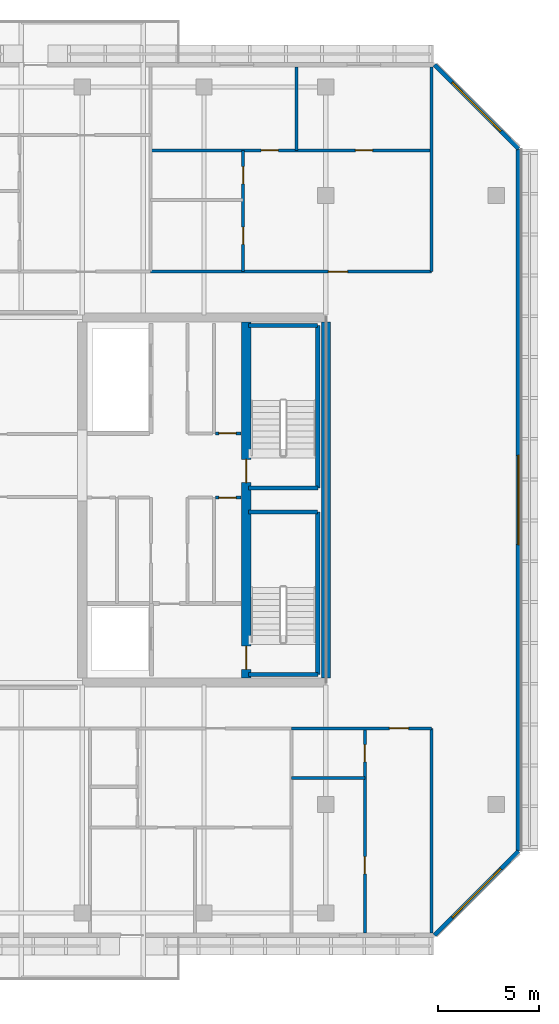
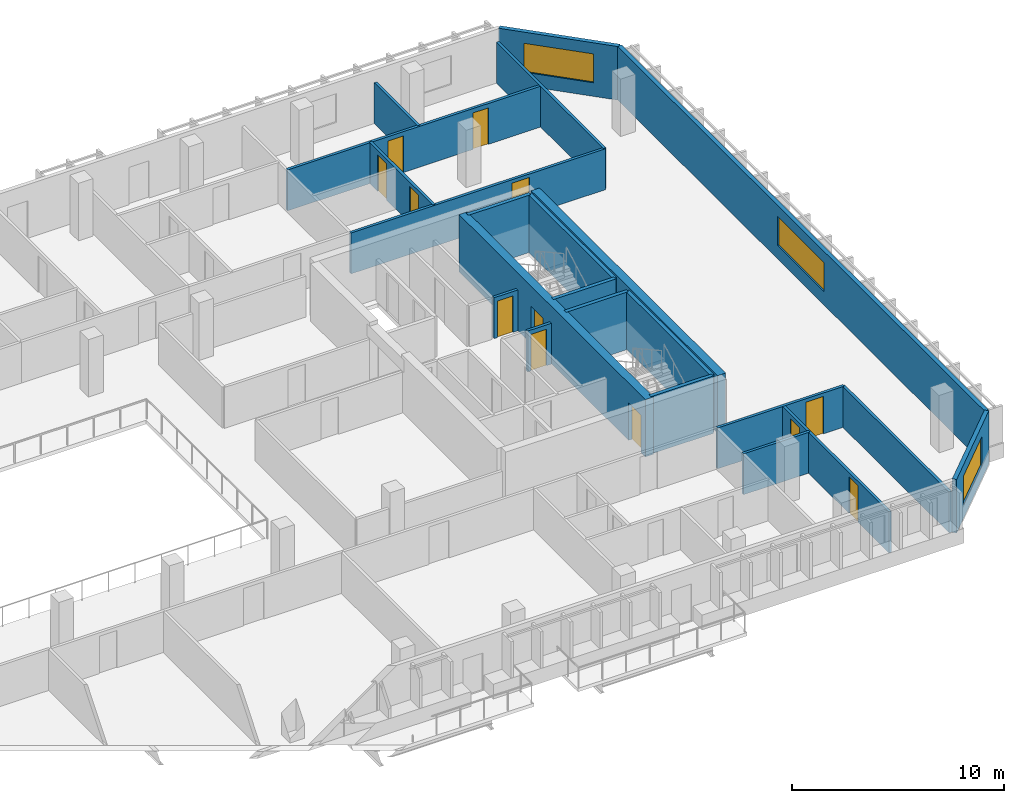
# One storey, part 10 of 16: 22 walls, 12 doors, 3 windows, 15 openings.
"""IFC4 building model written with IfcOpenShell, lengths in metres."""

from ifc_helpers import new_model, si_unit, direction, frame, frame_2d, origin, place, context, subcontext, project, spatial, rectangle, extrude, material, layer, layer_set, type_object, element, fill, save


model = new_model("IFC4")

# Units and contexts
model_context = context("Model", 3, precision=1e-05, world=origin(), true_north=direction((0.0, 1.0)))
body_context = subcontext(model_context, "Body", "Model", "MODEL_VIEW")
ifc_project = project(units=[si_unit("LENGTHUNIT", "METRE"), si_unit("AREAUNIT", "SQUARE_METRE"), si_unit("VOLUMEUNIT", "CUBIC_METRE"), si_unit("PLANEANGLEUNIT", "RADIAN"), si_unit("MASSUNIT", "GRAM", prefix="KILO")], contexts=[model_context])

# Site, building, storey
site_placement = place(None, origin())
site = spatial("IfcSite", under=ifc_project, at=site_placement, CompositionType="ELEMENT")
building_placement = place(site_placement, origin())
building = spatial("IfcBuilding", under=site, at=building_placement, Name="Tanjung Sevakor Pilgrim Tower", CompositionType="ELEMENT")
storey_placement = place(building_placement, frame((0.0, 0.0, 191.72998046875)))
storey = spatial("IfcBuildingStorey", under=building, at=storey_placement, Name="L53", CompositionType="ELEMENT", Elevation=191.72998046875)

# Wall
ifc_material_1 = material(Name="Concrete C60/75", Category="concrete")
ifc_layer_1 = layer(ifc_material_1, 0.449951171875)
ifc_layer_set_1 = layer_set([ifc_layer_1], Name="WALL-CW-450")
wall_type_1 = type_object("IfcWallType", Name="WALL-CW-450", PredefinedType="SHEAR", material=ifc_layer_set_1)
wall_1_placement = place(storey_placement, frame((90.0, 24.824951171875, 0.0), z_axis=(0.0, 0.0, 1.0), x_axis=(0.0, 1.0, 0.0)))
element("IfcWall", 1, at=wall_1_placement, inside=storey, type_object=wall_type_1, Name="L53 E Core Outer Shear Wall", PredefinedType="SHEAR", context=body_context, shape_type="SweptSolid", body=[
    extrude(rectangle(XDim=17.550048828125, YDim=0.449951171875, at=frame_2d((8.77490234375, 0.0))), origin(), (0.0, 0.0, 1.0), 3.300048828125),
])

# Wall, openings, doors
wall_2_placement = place(storey_placement, frame((86.074951171875, 24.824951171875, 0.0), z_axis=(0.0, 0.0, 1.0), x_axis=(0.0, 1.0, 0.0)))
wall_2 = element("IfcWall", 2, at=wall_2_placement, inside=storey, type_object=wall_type_1, Name="L53 E Core Stair Spine Wall", PredefinedType="SHEAR", context=body_context, shape_type="SweptSolid", body=[
    extrude(rectangle(XDim=17.550048828125, YDim=0.449951171875, at=frame_2d((8.77490234375, 0.0))), origin(), (0.0, 0.0, 1.0), 3.300048828125),
])
opening_1_placement = place(wall_2_placement, frame((0.425048828125, 0.0, 0.0)))
opening_1 = element("IfcOpeningElement", 3, at=opening_1_placement, cuts=wall_2, Name="Opening ID-ST1", PredefinedType="OPENING", context=body_context, shape_type="SweptSolid", body=[
    extrude(rectangle(XDim=1.14990234375, YDim=2.14990234375, at=frame_2d((0.574951171875, 1.074951171875))), frame((0.0, 0.23486328125, 0.0), z_axis=(0.0, -1.0, 0.0), x_axis=(1.0, 0.0, 0.0)), (0.0, 0.0, 1.0), 0.469970703125),
])
opening_2_placement = place(wall_2_placement, frame((9.625, 0.0, 0.0)))
opening_2 = element("IfcOpeningElement", 4, at=opening_2_placement, cuts=wall_2, Name="Opening ID-ST1", PredefinedType="OPENING", context=body_context, shape_type="SweptSolid", body=[
    extrude(rectangle(XDim=1.14990234375, YDim=2.14990234375, at=frame_2d((0.574951171875, 1.074951171875))), frame((0.0, 0.23486328125, 0.0), z_axis=(0.0, -1.0, 0.0), x_axis=(1.0, 0.0, 0.0)), (0.0, 0.0, 1.0), 0.469970703125),
])
ifc_material_2 = material(Name="Fire-Rated Steel S355J2", Category="steel")
door_type_1 = type_object("IfcDoorType", Name="DT-FIRE-1150", OperationType="NOTDEFINED", PredefinedType="DOOR", material=ifc_material_2)
door_1_placement = place(opening_1_placement, origin())
door_1 = element("IfcDoor", 5, at=door_1_placement, inside=storey, type_object=door_type_1, Name="L53 TS-E1 Stair Fire Door", OperationType="SINGLE_SWING_RIGHT", OverallHeight=2.14990234375, OverallWidth=1.14990234375, PredefinedType="DOOR", context=body_context, shape_type="SweptSolid", body=[
    extrude(rectangle(XDim=1.14990234375, YDim=2.14990234375, at=frame_2d((0.574951171875, 1.074951171875))), frame((0.0, 0.02490234375, 0.0), z_axis=(0.0, -1.0, 0.0), x_axis=(1.0, 0.0, 0.0)), (0.0, 0.0, 1.0), 0.050048828125),
])
fill(opening_1, door_1)
door_2_placement = place(opening_2_placement, origin())
door_2 = element("IfcDoor", 6, at=door_2_placement, inside=storey, type_object=door_type_1, Name="L53 TS-E2 Stair Fire Door", OperationType="SINGLE_SWING_LEFT", OverallHeight=2.14990234375, OverallWidth=1.14990234375, PredefinedType="DOOR", context=body_context, shape_type="SweptSolid", body=[
    extrude(rectangle(XDim=1.14990234375, YDim=2.14990234375, at=frame_2d((0.574951171875, 1.074951171875))), frame((0.0, 0.02490234375, 0.0), z_axis=(0.0, -1.0, 0.0), x_axis=(1.0, 0.0, 0.0)), (0.0, 0.0, 1.0), 0.050048828125),
])
fill(opening_2, door_2)

# Wall, opening, door
ifc_material_3 = material(Name="Concrete C40/50", Category="concrete")
ifc_layer_2 = layer(ifc_material_3, 0.14990234375)
ifc_layer_set_2 = layer_set([ifc_layer_2], Name="WT-COMP-150")
wall_type_2 = type_object("IfcWallType", Name="WT-COMP-150", PredefinedType="SOLIDWALL", material=ifc_layer_set_2)
wall_3_placement = place(storey_placement, frame((84.550048828125, 33.719970703125, 0.0), z_axis=(0.0, 0.0, 1.0), x_axis=(1.0, 0.0, 0.0)))
wall_3 = element("IfcWall", 7, at=wall_3_placement, inside=storey, type_object=wall_type_2, Name="L53 Partition IW-L53-020", PredefinedType="SOLIDWALL", context=body_context, shape_type="SweptSolid", body=[
    extrude(rectangle(XDim=1.280029296875, YDim=0.14990234375, at=frame_2d((0.64013671875, 0.0))), origin(), (0.0, 0.0, 1.0), 2.35009765625),
])
opening_3_placement = place(wall_3_placement, frame((0.179931640625, 0.0, 0.0)))
opening_3 = element("IfcOpeningElement", 8, at=opening_3_placement, cuts=wall_3, Name="Opening ID-FD3", PredefinedType="OPENING", context=body_context, shape_type="SweptSolid", body=[
    extrude(rectangle(XDim=0.85009765625, YDim=2.10009765625, at=frame_2d((0.425048828125, 1.050048828125))), frame((0.0, 0.0849609375, 0.0), z_axis=(0.0, -1.0, 0.0), x_axis=(1.0, 0.0, 0.0)), (0.0, 0.0, 1.0), 0.169921875),
])
ifc_material_4 = material(Name="Fire-Rated Timber", Category="wood")
door_type_2 = type_object("IfcDoorType", Name="DT-FIRE-850", OperationType="NOTDEFINED", PredefinedType="DOOR", material=ifc_material_4)
door_3_placement = place(opening_3_placement, origin())
door_3 = element("IfcDoor", 9, at=door_3_placement, inside=storey, type_object=door_type_2, Name="L53 Cleaner Store Door", OperationType="SINGLE_SWING_RIGHT", OverallHeight=2.10009765625, OverallWidth=0.85009765625, PredefinedType="DOOR", context=body_context, shape_type="SweptSolid", body=[
    extrude(rectangle(XDim=0.85009765625, YDim=2.10009765625, at=frame_2d((0.425048828125, 1.050048828125))), frame((0.0, 0.02490234375, 0.0), z_axis=(0.0, -1.0, 0.0), x_axis=(1.0, 0.0, 0.0)), (0.0, 0.0, 1.0), 0.050048828125),
])
fill(opening_3, door_3)

wall_4_placement = place(storey_placement, frame((84.550048828125, 36.8798828125, 0.0), z_axis=(0.0, 0.0, 1.0), x_axis=(1.0, 0.0, 0.0)))
wall_4 = element("IfcWall", 10, at=wall_4_placement, inside=storey, type_object=wall_type_2, Name="L53 Partition IW-L53-028", PredefinedType="SOLIDWALL", context=body_context, shape_type="SweptSolid", body=[
    extrude(rectangle(XDim=1.280029296875, YDim=0.14990234375, at=frame_2d((0.64013671875, 0.0))), origin(), (0.0, 0.0, 1.0), 2.35009765625),
])
opening_4_placement = place(wall_4_placement, frame((0.179931640625, 0.0, 0.0)))
opening_4 = element("IfcOpeningElement", 11, at=opening_4_placement, cuts=wall_4, Name="Opening ID-FD3", PredefinedType="OPENING", context=body_context, shape_type="SweptSolid", body=[
    extrude(rectangle(XDim=0.85009765625, YDim=2.10009765625, at=frame_2d((0.425048828125, 1.050048828125))), frame((0.0, 0.0849609375, 0.0), z_axis=(0.0, -1.0, 0.0), x_axis=(1.0, 0.0, 0.0)), (0.0, 0.0, 1.0), 0.169921875),
])
door_4_placement = place(opening_4_placement, origin())
door_4 = element("IfcDoor", 12, at=door_4_placement, inside=storey, type_object=door_type_2, Name="L53 Service Store Door", OperationType="SINGLE_SWING_RIGHT", OverallHeight=2.10009765625, OverallWidth=0.85009765625, PredefinedType="DOOR", context=body_context, shape_type="SweptSolid", body=[
    extrude(rectangle(XDim=0.85009765625, YDim=2.10009765625, at=frame_2d((0.425048828125, 1.050048828125))), frame((0.0, 0.02490234375, 0.0), z_axis=(0.0, -1.0, 0.0), x_axis=(1.0, 0.0, 0.0)), (0.0, 0.0, 1.0), 0.050048828125),
])
fill(opening_4, door_4)

# Wall
wall_5_placement = place(storey_placement, frame((95.199951171875, 12.27001953125, 0.0), z_axis=(0.0, 0.0, 1.0), x_axis=(0.0, 1.0, 0.0)))
element("IfcWall", 13, at=wall_5_placement, inside=storey, type_object=wall_type_2, Name="L53 Partition IW-L53-055", PredefinedType="SOLIDWALL", context=body_context, shape_type="SweptSolid", body=[
    extrude(rectangle(XDim=10.080078125, YDim=0.14990234375, at=frame_2d((5.0400390625, 0.0))), origin(), (0.0, 0.0, 1.0), 2.35009765625),
])

# Wall, opening, door
wall_6_placement = place(storey_placement, frame((88.3173828125, 22.35009765625, 0.0), z_axis=(0.0, 0.0, 1.0), x_axis=(1.0, 0.0, 0.0)))
wall_6 = element("IfcWall", 14, at=wall_6_placement, inside=storey, type_object=wall_type_2, Name="L53 Partition IW-L53-070", PredefinedType="SOLIDWALL", context=body_context, shape_type="SweptSolid", body=[
    extrude(rectangle(XDim=6.882568359375, YDim=0.14990234375, at=frame_2d((3.44140625, 0.0))), origin(), (0.0, 0.0, 1.0), 2.35009765625),
])
opening_5_placement = place(wall_6_placement, frame((4.8076171875, 0.0, 0.0)))
opening_5 = element("IfcOpeningElement", 15, at=opening_5_placement, cuts=wall_6, Name="Opening ID-FD2", PredefinedType="OPENING", context=body_context, shape_type="SweptSolid", body=[
    extrude(rectangle(XDim=0.949951171875, YDim=2.14990234375, at=frame_2d((0.47509765625, 1.074951171875))), frame((0.0, 0.0849609375, 0.0), z_axis=(0.0, -1.0, 0.0), x_axis=(1.0, 0.0, 0.0)), (0.0, 0.0, 1.0), 0.169921875),
])
ifc_material_5 = material(Name="Fire-Rated Timber", Category="wood")
door_type_3 = type_object("IfcDoorType", Name="DT-FIRE-950", OperationType="NOTDEFINED", PredefinedType="DOOR", material=ifc_material_5)
door_5_placement = place(opening_5_placement, origin())
door_5 = element("IfcDoor", 16, at=door_5_placement, inside=storey, type_object=door_type_3, Name="Hostel Quad Entrance", OperationType="SINGLE_SWING_RIGHT", OverallHeight=2.14990234375, OverallWidth=0.949951171875, PredefinedType="DOOR", context=body_context, shape_type="SweptSolid", body=[
    extrude(rectangle(XDim=0.949951171875, YDim=2.14990234375, at=frame_2d((0.47509765625, 1.074951171875))), frame((0.0, 0.02490234375, 0.0), z_axis=(0.0, -1.0, 0.0), x_axis=(1.0, 0.0, 0.0)), (0.0, 0.0, 1.0), 0.050048828125),
])
fill(opening_5, door_5)

# Wall
wall_7_placement = place(storey_placement, frame((95.199951171875, 44.85009765625, 0.0), z_axis=(0.0, 0.0, 1.0), x_axis=(0.0, 1.0, 0.0)))
element("IfcWall", 17, at=wall_7_placement, inside=storey, type_object=wall_type_2, Name="L53 Partition IW-L53-081", PredefinedType="SOLIDWALL", context=body_context, shape_type="SweptSolid", body=[
    extrude(rectangle(XDim=10.079833984375, YDim=0.14990234375, at=frame_2d((5.0400390625, 0.0))), origin(), (0.0, 0.0, 1.0), 2.35009765625),
])

# Wall, opening, door
wall_8_placement = place(storey_placement, frame((81.364013671875, 44.85009765625, 0.0), z_axis=(0.0, 0.0, 1.0), x_axis=(1.0, 0.0, 0.0)))
wall_8 = element("IfcWall", 18, at=wall_8_placement, inside=storey, type_object=wall_type_2, Name="L53 Partition IW-L53-097", PredefinedType="SOLIDWALL", context=body_context, shape_type="SweptSolid", body=[
    extrude(rectangle(XDim=13.8359375, YDim=0.14990234375, at=frame_2d((6.91796875, 0.0))), origin(), (0.0, 0.0, 1.0), 2.35009765625),
])
opening_6_placement = place(wall_8_placement, frame((8.760986328125, 0.0, 0.0)))
opening_6 = element("IfcOpeningElement", 19, at=opening_6_placement, cuts=wall_8, Name="Opening ID-FD2", PredefinedType="OPENING", context=body_context, shape_type="SweptSolid", body=[
    extrude(rectangle(XDim=0.949951171875, YDim=2.14990234375, at=frame_2d((0.47509765625, 1.074951171875))), frame((0.0, 0.0849609375, 0.0), z_axis=(0.0, -1.0, 0.0), x_axis=(1.0, 0.0, 0.0)), (0.0, 0.0, 1.0), 0.169921875),
])
door_6_placement = place(opening_6_placement, origin())
door_6 = element("IfcDoor", 20, at=door_6_placement, inside=storey, type_object=door_type_3, Name="Suite Entrance", OperationType="SINGLE_SWING_LEFT", OverallHeight=2.14990234375, OverallWidth=0.949951171875, PredefinedType="DOOR", context=body_context, shape_type="SweptSolid", body=[
    extrude(rectangle(XDim=0.949951171875, YDim=2.14990234375, at=frame_2d((0.47509765625, 1.074951171875))), frame((0.0, 0.02490234375, 0.0), z_axis=(0.0, -1.0, 0.0), x_axis=(1.0, 0.0, 0.0)), (0.0, 0.0, 1.0), 0.050048828125),
])
fill(opening_6, door_6)

# Wall, opening, window
ifc_material_6 = material(Name="Precast concrete C45/55", Category="concrete")
ifc_layer_3 = layer(ifc_material_6, 0.219970703125)
ifc_layer_set_3 = layer_set([ifc_layer_3], Name="WT-EW-STN4")
wall_type_3 = type_object("IfcWallType", Name="WT-EW-STN4", PredefinedType="SOLIDWALL", material=ifc_layer_set_3)
wall_9_placement = place(storey_placement, frame((95.3544921875, 12.159912109375, 0.0), z_axis=(0.0, 0.0, 1.0), x_axis=(0.707085909342, 0.707127652415, 0.0)))
wall_9 = element("IfcWall", 21, at=wall_9_placement, inside=storey, type_object=wall_type_3, Name="L53 MAIN Sculpted Corner Wall 5", PredefinedType="SOLIDWALL", context=body_context, shape_type="SweptSolid", body=[
    extrude(rectangle(XDim=5.8486328125, YDim=0.219970703125, at=frame_2d((2.92431640625, 0.0))), origin(), (0.0, 0.0, 1.0), 3.080078125),
])
opening_7_placement = place(wall_9_placement, frame((1.224365234375, 0.0, 0.780029296875)))
opening_7 = element("IfcOpeningElement", 22, at=opening_7_placement, cuts=wall_9, Name="Opening WN-CHM-1660", PredefinedType="OPENING", context=body_context, shape_type="SweptSolid", body=[
    extrude(rectangle(XDim=3.39990234375, YDim=1.659912109375, at=frame_2d((1.699951171875, 0.830078125))), frame((0.0, 0.119873046875, 0.0), z_axis=(0.0, -1.0, 0.0), x_axis=(1.0, 0.0, 0.0)), (0.0, 0.0, 1.0), 0.239990234375),
])
ifc_material_7 = material(Name="Thermally Broken Aluminium and Low-E Glass", Category="aluminium")
window_type_1 = type_object("IfcWindowType", Name="WTYP-WN-CHM-1660", PartitioningType="DOUBLE_PANEL_VERTICAL", PredefinedType="WINDOW", material=ifc_material_7)
window_1_placement = place(opening_7_placement, origin())
window_1 = element("IfcWindow", 23, at=window_1_placement, inside=storey, type_object=window_type_1, Name="L53 Facade Window 01", OverallHeight=1.659912109375, OverallWidth=3.39990234375, PartitioningType="SINGLE_PANEL", PredefinedType="WINDOW", context=body_context, shape_type="SweptSolid", body=[
    extrude(rectangle(XDim=3.39990234375, YDim=1.659912109375, at=frame_2d((1.699951171875, 0.830078125))), frame((0.0, 0.030029296875, 0.0), z_axis=(0.0, -1.0, 0.0), x_axis=(1.0, 0.0, 0.0)), (0.0, 0.0, 1.0), 0.06005859375),
])
fill(opening_7, window_1)

wall_10_placement = place(storey_placement, frame((99.489990234375, 16.295654296875, 0.0), z_axis=(0.0, 0.0, 1.0), x_axis=(0.0, 1.0, 0.0)))
wall_10 = element("IfcWall", 24, at=wall_10_placement, inside=storey, type_object=wall_type_3, Name="L53 MAIN Exterior Wall 7", PredefinedType="SOLIDWALL", context=body_context, shape_type="SweptSolid", body=[
    extrude(rectangle(XDim=34.608642578125, YDim=0.219970703125, at=frame_2d((17.30419921875, 0.0))), origin(), (0.0, 0.0, 1.0), 3.080078125),
])
opening_8_placement = place(wall_10_placement, frame((15.1044921875, 0.0, 0.780029296875)))
opening_8 = element("IfcOpeningElement", 25, at=opening_8_placement, cuts=wall_10, Name="Opening WN-ENDW-1660", PredefinedType="OPENING", context=body_context, shape_type="SweptSolid", body=[
    extrude(rectangle(XDim=4.39990234375, YDim=1.659912109375, at=frame_2d((2.199951171875, 0.830078125))), frame((0.0, 0.119873046875, 0.0), z_axis=(0.0, -1.0, 0.0), x_axis=(1.0, 0.0, 0.0)), (0.0, 0.0, 1.0), 0.239990234375),
])
ifc_material_8 = material(Name="Thermally Broken Aluminium and Low-E Glass", Category="aluminium")
window_type_2 = type_object("IfcWindowType", Name="WTYP-WN-ENDW-1660", PartitioningType="DOUBLE_PANEL_VERTICAL", PredefinedType="WINDOW", material=ifc_material_8)
window_2_placement = place(opening_8_placement, origin())
window_2 = element("IfcWindow", 26, at=window_2_placement, inside=storey, type_object=window_type_2, Name="L53 Facade Window 01", OverallHeight=1.659912109375, OverallWidth=4.39990234375, PartitioningType="SINGLE_PANEL", PredefinedType="WINDOW", context=body_context, shape_type="SweptSolid", body=[
    extrude(rectangle(XDim=4.39990234375, YDim=1.659912109375, at=frame_2d((2.199951171875, 0.830078125))), frame((0.0, 0.030029296875, 0.0), z_axis=(0.0, -1.0, 0.0), x_axis=(1.0, 0.0, 0.0)), (0.0, 0.0, 1.0), 0.06005859375),
])
fill(opening_8, window_2)

wall_11_placement = place(storey_placement, frame((99.489990234375, 50.904296875, 0.0), z_axis=(0.0, 0.0, 1.0), x_axis=(-0.707085909342, 0.707127652415, 0.0)))
wall_11 = element("IfcWall", 27, at=wall_11_placement, inside=storey, type_object=wall_type_3, Name="L53 MAIN Sculpted Corner Wall 7", PredefinedType="SOLIDWALL", context=body_context, shape_type="SweptSolid", body=[
    extrude(rectangle(XDim=5.8486328125, YDim=0.219970703125, at=frame_2d((2.92431640625, 0.0))), origin(), (0.0, 0.0, 1.0), 3.080078125),
])
opening_9_placement = place(wall_11_placement, frame((1.224365234375, 0.0, 0.780029296875)))
opening_9 = element("IfcOpeningElement", 28, at=opening_9_placement, cuts=wall_11, Name="Opening WN-CHM-1660", PredefinedType="OPENING", context=body_context, shape_type="SweptSolid", body=[
    extrude(rectangle(XDim=3.39990234375, YDim=1.659912109375, at=frame_2d((1.699951171875, 0.830078125))), frame((0.0, 0.119873046875, 0.0), z_axis=(0.0, -1.0, 0.0), x_axis=(1.0, 0.0, 0.0)), (0.0, 0.0, 1.0), 0.239990234375),
])
window_3_placement = place(opening_9_placement, origin())
window_3 = element("IfcWindow", 29, at=window_3_placement, inside=storey, type_object=window_type_1, Name="L53 Facade Window 01", OverallHeight=1.659912109375, OverallWidth=3.39990234375, PartitioningType="SINGLE_PANEL", PredefinedType="WINDOW", context=body_context, shape_type="SweptSolid", body=[
    extrude(rectangle(XDim=3.39990234375, YDim=1.659912109375, at=frame_2d((1.699951171875, 0.830078125))), frame((0.0, 0.030029296875, 0.0), z_axis=(0.0, -1.0, 0.0), x_axis=(1.0, 0.0, 0.0)), (0.0, 0.0, 1.0), 0.06005859375),
])
fill(opening_9, window_3)

# Walls
ifc_material_9 = material(Name="Concrete C40/50", Category="concrete")
ifc_layer_4 = layer(ifc_material_9, 0.199951171875)
ifc_layer_set_4 = layer_set([ifc_layer_4], Name="WT-FIRE-200")
wall_type_4 = type_object("IfcWallType", Name="WT-FIRE-200", PredefinedType="SOLIDWALL", material=ifc_layer_set_4)
wall_12_placement = place(storey_placement, frame((86.199951171875, 25.0, 0.0), z_axis=(0.0, 0.0, 1.0), x_axis=(1.0, 0.0, 0.0)))
element("IfcWall", 30, at=wall_12_placement, inside=storey, type_object=wall_type_4, Name="L53 TS-E1 Shaft Wall 1", PredefinedType="SOLIDWALL", context=body_context, shape_type="SweptSolid", body=[
    extrude(rectangle(XDim=3.400146484375, YDim=0.199951171875, at=frame_2d((1.7001953125, 0.0))), origin(), (0.0, 0.0, 1.0), 3.300048828125),
])
wall_13_placement = place(storey_placement, frame((89.60009765625, 25.0, 0.0), z_axis=(0.0, 0.0, 1.0), x_axis=(0.0, 1.0, 0.0)))
element("IfcWall", 31, at=wall_13_placement, inside=storey, type_object=wall_type_4, Name="L53 TS-E1 Shaft Wall 2", PredefinedType="SOLIDWALL", context=body_context, shape_type="SweptSolid", body=[
    extrude(rectangle(XDim=8.0, YDim=0.199951171875, at=frame_2d((4.0, 0.0))), origin(), (0.0, 0.0, 1.0), 3.300048828125),
])
for number, where, z_axis, x_axis, name in (
    (32, (89.60009765625, 33.0, 0.0), (0.0, 0.0, 1.0), (-1.0, 0.0, 0.0), "L53 TS-E1 Shaft Wall 3"),
    (33, (86.199951171875, 34.199951171875, 0.0), (0.0, 0.0, 1.0), (1.0, 0.0, 0.0), "L53 TS-E2 Shaft Wall 1"),
):
    element("IfcWall", number, at=place(storey_placement, frame(where, z_axis=z_axis, x_axis=x_axis)), inside=storey, type_object=wall_type_4, Name=name, PredefinedType="SOLIDWALL", context=body_context, shape_type="SweptSolid", body=[
        extrude(rectangle(XDim=3.400146484375, YDim=0.199951171875, at=frame_2d((1.7001953125, 0.0))), origin(), (0.0, 0.0, 1.0), 3.300048828125),
    ])
wall_14_placement = place(storey_placement, frame((89.60009765625, 34.199951171875, 0.0), z_axis=(0.0, 0.0, 1.0), x_axis=(0.0, 1.0, 0.0)))
element("IfcWall", 34, at=wall_14_placement, inside=storey, type_object=wall_type_4, Name="L53 TS-E2 Shaft Wall 2", PredefinedType="SOLIDWALL", context=body_context, shape_type="SweptSolid", body=[
    extrude(rectangle(XDim=8.0, YDim=0.199951171875, at=frame_2d((4.0, 0.0))), origin(), (0.0, 0.0, 1.0), 3.300048828125),
])
wall_15_placement = place(storey_placement, frame((89.60009765625, 42.199951171875, 0.0), z_axis=(0.0, 0.0, 1.0), x_axis=(-1.0, 0.0, 0.0)))
element("IfcWall", 35, at=wall_15_placement, inside=storey, type_object=wall_type_4, Name="L53 TS-E2 Shaft Wall 3", PredefinedType="SOLIDWALL", context=body_context, shape_type="SweptSolid", body=[
    extrude(rectangle(XDim=3.400146484375, YDim=0.199951171875, at=frame_2d((1.7001953125, 0.0))), origin(), (0.0, 0.0, 1.0), 3.300048828125),
])
ifc_material_10 = material(Name="Gypsum Board Partition", Category="gypsum board")
ifc_layer_5 = layer(ifc_material_10, 0.14990234375)
ifc_layer_set_5 = layer_set([ifc_layer_5], Name="WT-PART-150")
wall_type_5 = type_object("IfcWallType", Name="WT-PART-150", PredefinedType="PARTITIONING", material=ifc_layer_set_5)
wall_16_placement = place(storey_placement, frame((88.3173828125, 19.89990234375, 0.0), z_axis=(0.0, 0.0, 1.0), x_axis=(1.0, 0.0, 0.0)))
element("IfcWall", 36, at=wall_16_placement, inside=storey, type_object=wall_type_5, Name="L53 Partition IW-L53-068", PredefinedType="PARTITIONING", context=body_context, shape_type="SweptSolid", body=[
    extrude(rectangle(XDim=3.6025390625, YDim=0.14990234375, at=frame_2d((1.80126953125, 0.0))), origin(), (0.0, 0.0, 1.0), 2.35009765625),
])

# Wall, openings, doors
wall_17_placement = place(storey_placement, frame((91.919921875, 12.27001953125, 0.0), z_axis=(0.0, 0.0, 1.0), x_axis=(0.0, 1.0, 0.0)))
wall_17 = element("IfcWall", 37, at=wall_17_placement, inside=storey, type_object=wall_type_5, Name="L53 Partition IW-L53-069", PredefinedType="PARTITIONING", context=body_context, shape_type="SweptSolid", body=[
    extrude(rectangle(XDim=10.080078125, YDim=0.14990234375, at=frame_2d((5.0400390625, 0.0))), origin(), (0.0, 0.0, 1.0), 2.35009765625),
])
opening_10_placement = place(wall_17_placement, frame((2.912109375, 0.0, 0.0)))
opening_10 = element("IfcOpeningElement", 38, at=opening_10_placement, cuts=wall_17, Name="Opening ID-WC1", PredefinedType="OPENING", context=body_context, shape_type="SweptSolid", body=[
    extrude(rectangle(XDim=0.85009765625, YDim=2.10009765625, at=frame_2d((0.425048828125, 1.050048828125))), frame((0.0, 0.0849609375, 0.0), z_axis=(0.0, -1.0, 0.0), x_axis=(1.0, 0.0, 0.0)), (0.0, 0.0, 1.0), 0.169921875),
])
opening_11_placement = place(wall_17_placement, frame((8.429931640625, 0.0, 0.0)))
opening_11 = element("IfcOpeningElement", 39, at=opening_11_placement, cuts=wall_17, Name="Opening ID-WC1", PredefinedType="OPENING", context=body_context, shape_type="SweptSolid", body=[
    extrude(rectangle(XDim=0.85009765625, YDim=2.10009765625, at=frame_2d((0.425048828125, 1.050048828125))), frame((0.0, 0.0849609375, 0.0), z_axis=(0.0, -1.0, 0.0), x_axis=(1.0, 0.0, 0.0)), (0.0, 0.0, 1.0), 0.169921875),
])
ifc_material_11 = material(Name="Moisture-Resistant Timber", Category="wood")
door_type_4 = type_object("IfcDoorType", Name="DT-INT-850", OperationType="NOTDEFINED", PredefinedType="DOOR", material=ifc_material_11)
door_7_placement = place(opening_10_placement, origin())
door_7 = element("IfcDoor", 40, at=door_7_placement, inside=storey, type_object=door_type_4, Name="Study Nook Door", OperationType="SINGLE_SWING_RIGHT", OverallHeight=2.10009765625, OverallWidth=0.85009765625, PredefinedType="DOOR", context=body_context, shape_type="SweptSolid", body=[
    extrude(rectangle(XDim=0.85009765625, YDim=2.10009765625, at=frame_2d((0.425048828125, 1.050048828125))), frame((0.0, 0.02490234375, 0.0), z_axis=(0.0, -1.0, 0.0), x_axis=(1.0, 0.0, 0.0)), (0.0, 0.0, 1.0), 0.050048828125),
])
fill(opening_10, door_7)
door_8_placement = place(opening_11_placement, origin())
door_8 = element("IfcDoor", 41, at=door_8_placement, inside=storey, type_object=door_type_4, Name="Bathroom Door", OperationType="SINGLE_SWING_LEFT", OverallHeight=2.10009765625, OverallWidth=0.85009765625, PredefinedType="DOOR", context=body_context, shape_type="SweptSolid", body=[
    extrude(rectangle(XDim=0.85009765625, YDim=2.10009765625, at=frame_2d((0.425048828125, 1.050048828125))), frame((0.0, 0.02490234375, 0.0), z_axis=(0.0, -1.0, 0.0), x_axis=(1.0, 0.0, 0.0)), (0.0, 0.0, 1.0), 0.050048828125),
])
fill(opening_11, door_8)

wall_18_placement = place(storey_placement, frame((85.919921875, 44.85009765625, 0.0), z_axis=(0.0, 0.0, 1.0), x_axis=(0.0, 1.0, 0.0)))
wall_18 = element("IfcWall", 42, at=wall_18_placement, inside=storey, type_object=wall_type_5, Name="L53 Partition IW-L53-094", PredefinedType="PARTITIONING", context=body_context, shape_type="SweptSolid", body=[
    extrude(rectangle(XDim=5.979736328125, YDim=0.14990234375, at=frame_2d((2.98974609375, 0.0))), origin(), (0.0, 0.0, 1.0), 2.35009765625),
])
opening_12_placement = place(wall_18_placement, frame((1.339111328125, 0.0, 0.0)))
opening_12 = element("IfcOpeningElement", 43, at=opening_12_placement, cuts=wall_18, Name="Opening ID-WC1", PredefinedType="OPENING", context=body_context, shape_type="SweptSolid", body=[
    extrude(rectangle(XDim=0.85009765625, YDim=2.10009765625, at=frame_2d((0.425048828125, 1.050048828125))), frame((0.0, 0.0849609375, 0.0), z_axis=(0.0, -1.0, 0.0), x_axis=(1.0, 0.0, 0.0)), (0.0, 0.0, 1.0), 0.169921875),
])
opening_13_placement = place(wall_18_placement, frame((4.328857421875, 0.0, 0.0)))
opening_13 = element("IfcOpeningElement", 44, at=opening_13_placement, cuts=wall_18, Name="Opening ID-WC1", PredefinedType="OPENING", context=body_context, shape_type="SweptSolid", body=[
    extrude(rectangle(XDim=0.85009765625, YDim=2.10009765625, at=frame_2d((0.425048828125, 1.050048828125))), frame((0.0, 0.0849609375, 0.0), z_axis=(0.0, -1.0, 0.0), x_axis=(1.0, 0.0, 0.0)), (0.0, 0.0, 1.0), 0.169921875),
])
door_9_placement = place(opening_12_placement, origin())
door_9 = element("IfcDoor", 45, at=door_9_placement, inside=storey, type_object=door_type_4, Name="Suite Kitchenette Door", OperationType="SINGLE_SWING_LEFT", OverallHeight=2.10009765625, OverallWidth=0.85009765625, PredefinedType="DOOR", context=body_context, shape_type="SweptSolid", body=[
    extrude(rectangle(XDim=0.85009765625, YDim=2.10009765625, at=frame_2d((0.425048828125, 1.050048828125))), frame((0.0, 0.02490234375, 0.0), z_axis=(0.0, -1.0, 0.0), x_axis=(1.0, 0.0, 0.0)), (0.0, 0.0, 1.0), 0.050048828125),
])
fill(opening_12, door_9)
door_10_placement = place(opening_13_placement, origin())
door_10 = element("IfcDoor", 46, at=door_10_placement, inside=storey, type_object=door_type_4, Name="Suite Bathroom Door", OperationType="SINGLE_SWING_RIGHT", OverallHeight=2.10009765625, OverallWidth=0.85009765625, PredefinedType="DOOR", context=body_context, shape_type="SweptSolid", body=[
    extrude(rectangle(XDim=0.85009765625, YDim=2.10009765625, at=frame_2d((0.425048828125, 1.050048828125))), frame((0.0, 0.02490234375, 0.0), z_axis=(0.0, -1.0, 0.0), x_axis=(1.0, 0.0, 0.0)), (0.0, 0.0, 1.0), 0.050048828125),
])
fill(opening_13, door_10)

# Wall
wall_19_placement = place(storey_placement, frame((88.558837890625, 50.829833984375, 0.0), z_axis=(0.0, 0.0, 1.0), x_axis=(0.0, 1.0, 0.0)))
element("IfcWall", 47, at=wall_19_placement, inside=storey, type_object=wall_type_5, Name="L53 Partition IW-L53-095", PredefinedType="PARTITIONING", context=body_context, shape_type="SweptSolid", body=[
    extrude(rectangle(XDim=4.10009765625, YDim=0.14990234375, at=frame_2d((2.050048828125, 0.0))), origin(), (0.0, 0.0, 1.0), 2.35009765625),
])

# Wall, openings, doors
wall_20_placement = place(storey_placement, frame((81.364013671875, 50.829833984375, 0.0), z_axis=(0.0, 0.0, 1.0), x_axis=(1.0, 0.0, 0.0)))
wall_20 = element("IfcWall", 48, at=wall_20_placement, inside=storey, type_object=wall_type_5, Name="L53 Partition IW-L53-096", PredefinedType="PARTITIONING", context=body_context, shape_type="SweptSolid", body=[
    extrude(rectangle(XDim=13.8359375, YDim=0.14990234375, at=frame_2d((6.91796875, 0.0))), origin(), (0.0, 0.0, 1.0), 2.35009765625),
])
opening_14_placement = place(wall_20_placement, frame((5.4501953125, 0.0, 0.0)))
opening_14 = element("IfcOpeningElement", 49, at=opening_14_placement, cuts=wall_20, Name="Opening ID-WC1", PredefinedType="OPENING", context=body_context, shape_type="SweptSolid", body=[
    extrude(rectangle(XDim=0.85009765625, YDim=2.10009765625, at=frame_2d((0.425048828125, 1.050048828125))), frame((0.0, 0.0849609375, 0.0), z_axis=(0.0, -1.0, 0.0), x_axis=(1.0, 0.0, 0.0)), (0.0, 0.0, 1.0), 0.169921875),
])
opening_15_placement = place(wall_20_placement, frame((10.09033203125, 0.0, 0.0)))
opening_15 = element("IfcOpeningElement", 50, at=opening_15_placement, cuts=wall_20, Name="Opening ID-WC1", PredefinedType="OPENING", context=body_context, shape_type="SweptSolid", body=[
    extrude(rectangle(XDim=0.85009765625, YDim=2.10009765625, at=frame_2d((0.425048828125, 1.050048828125))), frame((0.0, 0.0849609375, 0.0), z_axis=(0.0, -1.0, 0.0), x_axis=(1.0, 0.0, 0.0)), (0.0, 0.0, 1.0), 0.169921875),
])
door_11_placement = place(opening_14_placement, origin())
door_11 = element("IfcDoor", 51, at=door_11_placement, inside=storey, type_object=door_type_4, Name="Suite Bedroom 1 Door", OperationType="SINGLE_SWING_LEFT", OverallHeight=2.10009765625, OverallWidth=0.85009765625, PredefinedType="DOOR", context=body_context, shape_type="SweptSolid", body=[
    extrude(rectangle(XDim=0.85009765625, YDim=2.10009765625, at=frame_2d((0.425048828125, 1.050048828125))), frame((0.0, 0.02490234375, 0.0), z_axis=(0.0, -1.0, 0.0), x_axis=(1.0, 0.0, 0.0)), (0.0, 0.0, 1.0), 0.050048828125),
])
fill(opening_14, door_11)
door_12_placement = place(opening_15_placement, origin())
door_12 = element("IfcDoor", 52, at=door_12_placement, inside=storey, type_object=door_type_4, Name="Suite Bedroom 2 Door", OperationType="SINGLE_SWING_RIGHT", OverallHeight=2.10009765625, OverallWidth=0.85009765625, PredefinedType="DOOR", context=body_context, shape_type="SweptSolid", body=[
    extrude(rectangle(XDim=0.85009765625, YDim=2.10009765625, at=frame_2d((0.425048828125, 1.050048828125))), frame((0.0, 0.02490234375, 0.0), z_axis=(0.0, -1.0, 0.0), x_axis=(1.0, 0.0, 0.0)), (0.0, 0.0, 1.0), 0.050048828125),
])
fill(opening_15, door_12)

save(model, "model.ifc")
